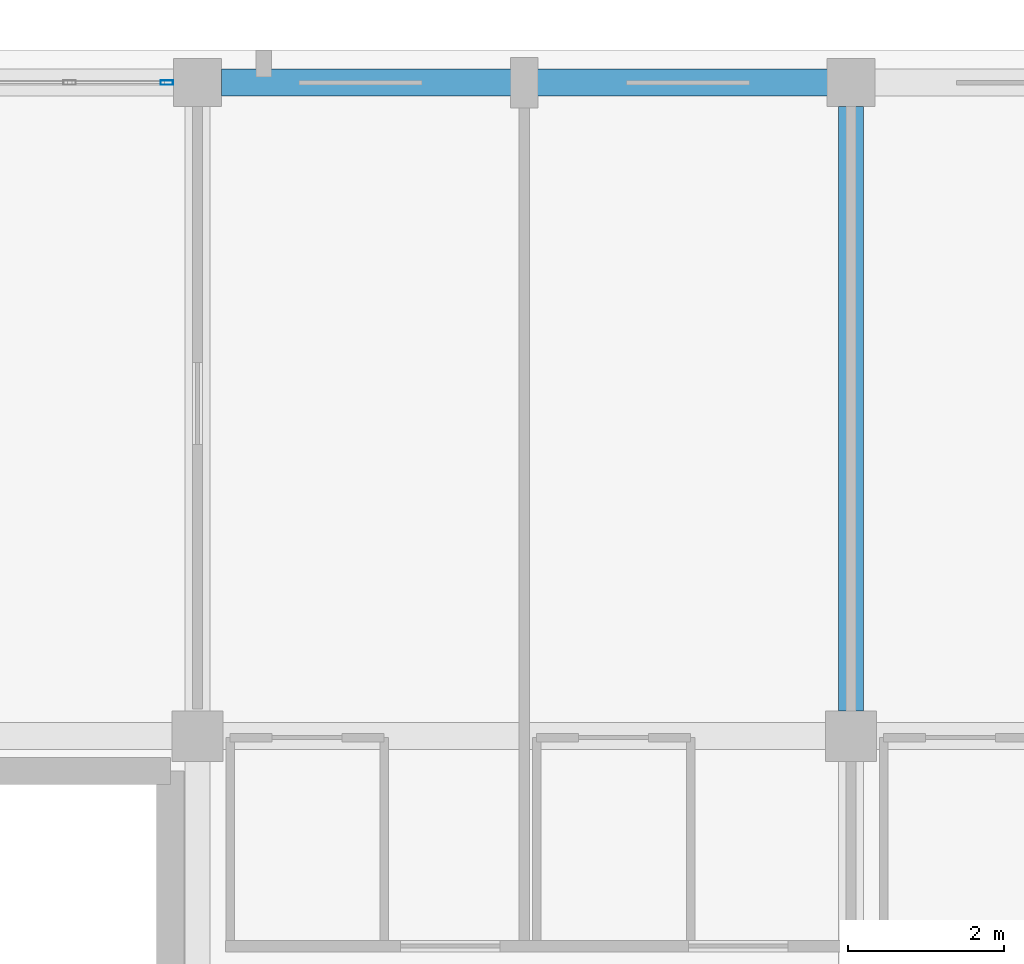
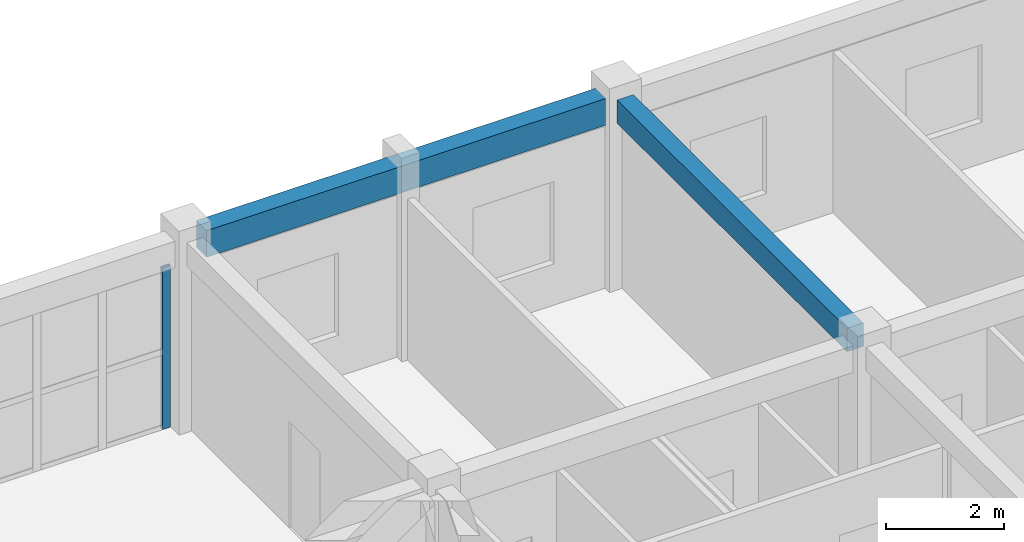
# One storey, part 42 of 81: 2 beams, 1 member, 1 element without a shape of its own.
"""IFC4 building model written with IfcOpenShell, lengths in metres."""

from ifc_helpers import new_model, si_unit, direction, frame, origin, origin_2d, place, context, subcontext, project, spatial, rectangle, hollow_rectangle, extrude, material, layer, layer_set, material_profile, profile_set, type_object, element, aggregate, save


model = new_model("IFC4")

# Units and contexts
model_context = context("Model", 3, precision=1e-05, world=origin(), true_north=direction((0.0, 1.0)))
body_context = subcontext(model_context, "Body", "Model", "MODEL_VIEW")
ifc_project = project(units=[si_unit("LENGTHUNIT", "METRE"), si_unit("AREAUNIT", "SQUARE_METRE"), si_unit("VOLUMEUNIT", "CUBIC_METRE"), si_unit("PLANEANGLEUNIT", "RADIAN"), si_unit("MASSUNIT", "GRAM", prefix="KILO")], contexts=[model_context])

# Site, building, storey
site_placement = place(None, origin())
site = spatial("IfcSite", under=ifc_project, at=site_placement, CompositionType="ELEMENT")
building_placement = place(site_placement, origin())
building = spatial("IfcBuilding", under=site, at=building_placement, Name="Trelvath General Hospital", CompositionType="ELEMENT")
storey_placement = place(building_placement, frame((0.0, 0.0, 24.60009765625)))
storey = spatial("IfcBuildingStorey", under=building, at=storey_placement, Name="L06", CompositionType="ELEMENT", Elevation=24.60009765625)

# Beams
ifc_material_1 = material(Name="Concrete C35/45", Category="concrete")
ifc_material_profile_1 = material_profile(ifc_material_1, rectangle(XDim=0.320068359375, YDim=0.47998046875, at=origin_2d()), Name="RCB320x480")
ifc_profile_set_1 = profile_set([ifc_material_profile_1], Name="Concrete C35/45")
beam_type_1 = type_object("IfcBeamType", Name="Beam RC320x480", PredefinedType="BEAM", material=ifc_profile_set_1)
beam_1_placement = place(storey_placement, frame((58.800048828125, 109.52001953125, 3.679931640625), z_axis=(0.0, 1.0, 0.0), x_axis=(-1.0, 0.0, 0.0)))
element("IfcBeam", 1, at=beam_1_placement, inside=storey, type_object=beam_type_1, Name="Grid Beam BY-607N", PredefinedType="BEAM", context=body_context, shape_type="SweptSolid", body=[
    extrude(rectangle(XDim=0.320068359375, YDim=0.47998046875, at=origin_2d()), origin(), (0.0, 0.0, 1.0), 7.77490234375),
])
ifc_material_2 = material(Name="Concrete C35/45", Category="concrete")
ifc_material_profile_2 = material_profile(ifc_material_2, rectangle(XDim=0.35009765625, YDim=0.550048828125, at=origin_2d()), Name="RCB350x550")
ifc_profile_set_2 = profile_set([ifc_material_profile_2], Name="Concrete C35/45")
beam_type_2 = type_object("IfcBeamType", Name="Beam RC350x550", PredefinedType="BEAM", material=ifc_profile_set_2)
beam_2_placement = place(storey_placement, frame((50.705078125, 117.60009765625, 3.64501953125), z_axis=(1.0, 0.0, 0.0), x_axis=(0.0, 1.0, 0.0)))
element("IfcBeam", 2, at=beam_2_placement, inside=storey, type_object=beam_type_2, Name="Grid Beam BX-606O", PredefinedType="BEAM", context=body_context, shape_type="SweptSolid", body=[
    extrude(rectangle(XDim=0.35009765625, YDim=0.550048828125, at=origin_2d()), origin(), (0.0, 0.0, 1.0), 7.7900390625),
])

# Curtain wall, member
ifc_material_3 = material(Name="Anodised aluminium and low-E glass", Category="aluminium")
ifc_layer = layer(ifc_material_3, 0.14990234375)
ifc_layer_set = layer_set([ifc_layer], Name="Anodised aluminium and low-E glass")
curtain_wall_type = type_object("IfcCurtainWallType", Name="CW Facade 767 334 15", PredefinedType="USERDEFINED", material=ifc_layer_set)
curtain_wall_placement = place(storey_placement, origin())
curtain_wall = element("IfcCurtainWall", 3, at=curtain_wall_placement, inside=storey, type_object=curtain_wall_type, Name="Facade Curtain Wall CW-077", ObjectType="Unitised Glazed Curtain Wall", PredefinedType="USERDEFINED")
ifc_material_4 = material(Name="Anodised aluminium", Category="aluminium")
ifc_material_profile_3 = material_profile(ifc_material_4, hollow_rectangle(XDim=0.06005859375, YDim=0.159912109375, WallThickness=0.00390625, at=origin_2d()), Name="RHS60x160x4")
ifc_profile_set_3 = profile_set([ifc_material_profile_3], Name="Anodised aluminium")
member_type = type_object("IfcMemberType", Name="CurtainMullion 60x160", PredefinedType="MULLION", material=ifc_profile_set_3)
member_placement = place(storey_placement, frame((50.0048828125, 117.60009765625, 0.0), z_axis=(0.0, 0.0, 1.0), x_axis=(0.0, 1.0, 0.0)))
member = element("IfcMember", 4, at=member_placement, type_object=member_type, Name="CW-077 mullion 7", PredefinedType="MULLION", context=body_context, shape_type="SweptSolid", body=[
    extrude(hollow_rectangle(XDim=0.06005859375, YDim=0.159912109375, WallThickness=0.00390625, at=origin_2d()), origin(), (0.0, 0.0, 1.0), 3.33984375),
])
aggregate(curtain_wall, [member])

save(model, "model.ifc")
